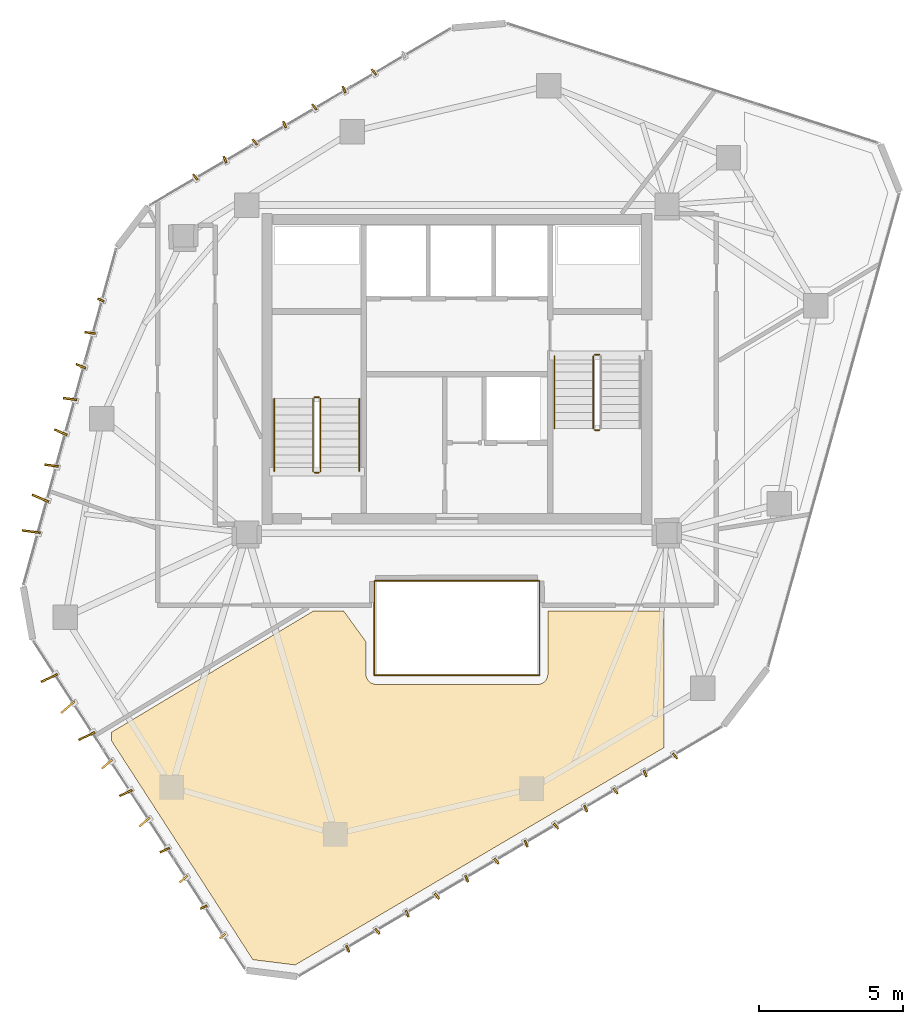
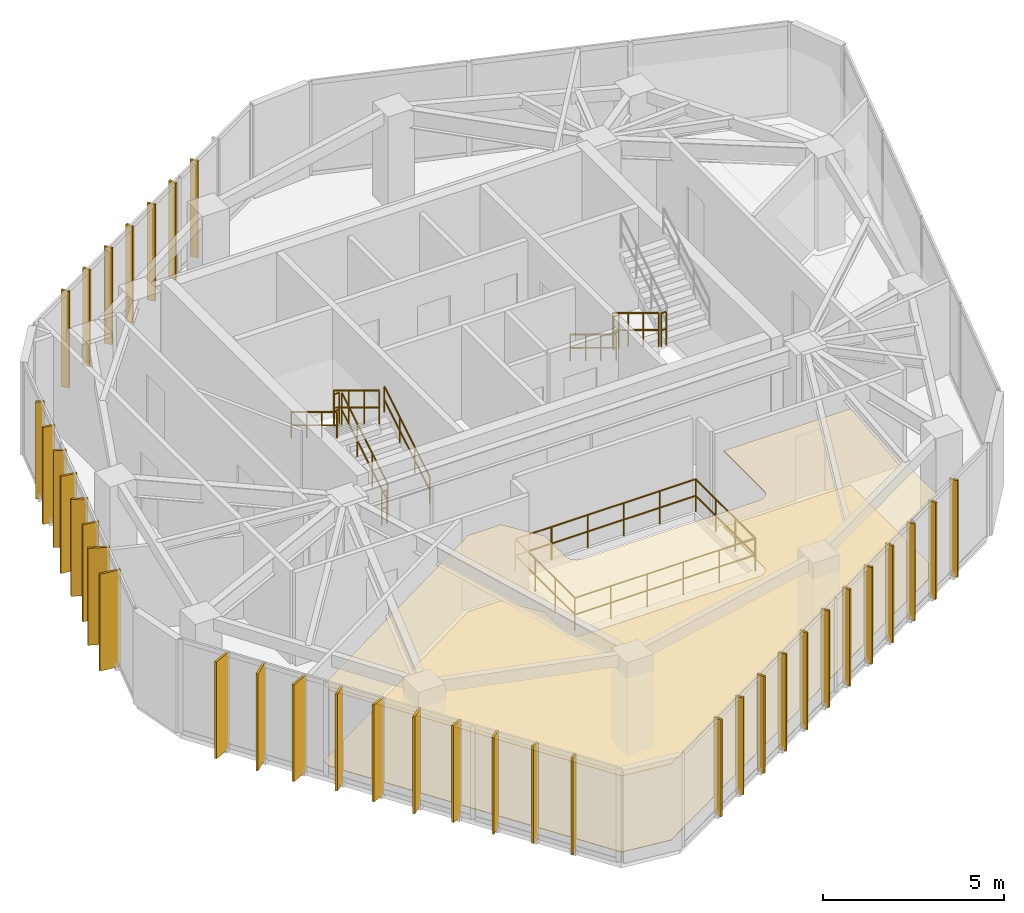
# One storey, part 19 of 20: 37 shading devices, 14 railings, 2 coverings.
"""IFC4 building model written with IfcOpenShell, lengths in metres."""

from ifc_helpers import new_model, si_unit, direction, frame, origin, origin_2d, place, context, subcontext, project, spatial, polyline, rectangle, circle, outline, extrude, source, transform, mapped, material, layer, layer_set, type_object, type_shapes, element, save


model = new_model("IFC4")

# Units and contexts
model_context = context("Model", 3, precision=1e-05, world=origin(), true_north=direction((0.0, 1.0)))
body_context = subcontext(model_context, "Body", "Model", "MODEL_VIEW")
ifc_project = project(units=[si_unit("LENGTHUNIT", "METRE"), si_unit("AREAUNIT", "SQUARE_METRE"), si_unit("VOLUMEUNIT", "CUBIC_METRE"), si_unit("PLANEANGLEUNIT", "RADIAN"), si_unit("MASSUNIT", "GRAM", prefix="KILO")], contexts=[model_context])

# Site, building, storey
site_placement = place(None, origin())
site = spatial("IfcSite", under=ifc_project, at=site_placement, CompositionType="ELEMENT")
building_placement = place(site_placement, origin())
building = spatial("IfcBuilding", under=site, at=building_placement, Name="Talar Marvaseh", CompositionType="ELEMENT")
storey_placement = place(building_placement, frame((0.0, 0.0, 254.39990234375)))
storey = spatial("IfcBuildingStorey", under=building, at=storey_placement, Name="L67", CompositionType="ELEMENT", Elevation=254.39990234375)

# Railings
ifc_material_1 = material(Name="Stainless Steel Grade 316", Category="steel")
railing_type_1 = type_object("IfcRailingType", Name="Brushed Stainless Wall Pitch Handrail 900", PredefinedType="HANDRAIL", material=ifc_material_1)
railing_1_placement = place(storey_placement, frame((22.610107421875, 27.64990234375, 0.170166015625)))
element("IfcRailing", 1, at=railing_1_placement, inside=storey, type_object=railing_type_1, Name="L67 ST-1 stair handrail 1", PredefinedType="HANDRAIL", context=body_context, shape_type="SweptSolid", body=[
    extrude(circle(Radius=0.02392578125, at=origin_2d()), frame((0.0, 0.0, 0.8759765625), z_axis=(0.0, 0.85478489116, 0.518982456201), x_axis=(-1.0, 0.0, 0.0)), (0.0, 0.0, 1.0), 2.9482421875),
    extrude(circle(Radius=0.02392578125, at=origin_2d()), frame((0.0, 0.0, 0.42578125), z_axis=(0.0, 0.85478489116, 0.518982456201), x_axis=(-1.0, 0.0, 0.0)), (0.0, 0.0, 1.0), 2.9482421875),
    extrude(circle(Radius=0.02099609375, at=origin_2d()), origin(), (0.0, 0.0, 1.0), 0.851806640625),
    extrude(circle(Radius=0.02099609375, at=origin_2d()), frame((0.0, 0.840087890625, 0.510009765625)), (0.0, 0.0, 1.0), 0.851806640625),
    extrude(circle(Radius=0.02099609375, at=origin_2d()), frame((0.0, 1.679931640625, 1.02001953125)), (0.0, 0.0, 1.0), 0.851806640625),
    extrude(circle(Radius=0.02099609375, at=origin_2d()), frame((0.0, 2.52001953125, 1.530029296875)), (0.0, 0.0, 1.0), 0.851806640625),
])
for number, where, name in (
    (2, (19.64990234375, 30.169921875, 1.8701171875), "L67 ST-1 stair handrail 2"),
    (3, (29.389892578125, 31.64990234375, 0.170166015625), "L67 ST-2 stair handrail 1"),
):
    element("IfcRailing", number, at=place(storey_placement, frame(where)), inside=storey, type_object=railing_type_1, Name=name, PredefinedType="HANDRAIL", context=body_context, shape_type="SweptSolid", body=[
        extrude(circle(Radius=0.02392578125, at=origin_2d()), frame((0.0, 0.0, 0.8759765625), z_axis=(0.0, -0.85478489116, 0.518982456201), x_axis=(1.0, 0.0, 0.0)), (0.0, 0.0, 1.0), 2.9482421875),
        extrude(circle(Radius=0.02392578125, at=origin_2d()), frame((0.0, 0.0, 0.42578125), z_axis=(0.0, -0.85478489116, 0.518982456201), x_axis=(1.0, 0.0, 0.0)), (0.0, 0.0, 1.0), 2.9482421875),
        extrude(circle(Radius=0.02099609375, at=origin_2d()), origin(), (0.0, 0.0, 1.0), 0.851806640625),
        extrude(circle(Radius=0.02099609375, at=origin_2d()), frame((0.0, -0.840087890625, 0.510009765625)), (0.0, 0.0, 1.0), 0.851806640625),
        extrude(circle(Radius=0.02099609375, at=origin_2d()), frame((0.0, -1.679931640625, 1.02001953125)), (0.0, 0.0, 1.0), 0.851806640625),
        extrude(circle(Radius=0.02099609375, at=origin_2d()), frame((0.0, -2.52001953125, 1.530029296875)), (0.0, 0.0, 1.0), 0.851806640625),
    ])
ifc_material_2 = material(Name="Tempered Clear Glass", Category="glass")
railing_type_2 = type_object("IfcRailingType", Name="Interior Atrium Edge Balustrade 1120", PredefinedType="BALUSTRADE", material=ifc_material_2)
railing_2_placement = place(storey_placement, frame((23.130615234375, 20.560302734375, 0.0)))
element("IfcRailing", 4, at=railing_2_placement, inside=storey, type_object=railing_type_2, Name="L67 Internal Daylight Atrium Balustrade 1", PredefinedType="BALUSTRADE", context=body_context, shape_type="SweptSolid", body=[
    extrude(circle(Radius=0.02392578125, at=origin_2d()), frame((0.0, 0.0, 1.09619140625), z_axis=(1.0, 0.0, 0.0), x_axis=(0.0, 1.0, 0.0)), (0.0, 0.0, 1.0), 5.73876953125),
    extrude(circle(Radius=0.02392578125, at=origin_2d()), frame((0.0, 0.0, 0.5361328125), z_axis=(1.0, 0.0, 0.0), x_axis=(0.0, 1.0, 0.0)), (0.0, 0.0, 1.0), 5.73876953125),
    extrude(circle(Radius=0.02099609375, at=origin_2d()), origin(), (0.0, 0.0, 1.0), 1.072021484375),
    extrude(circle(Radius=0.02099609375, at=origin_2d()), frame((1.147705078125, 0.0, 0.0)), (0.0, 0.0, 1.0), 1.072021484375),
    extrude(circle(Radius=0.02099609375, at=origin_2d()), frame((2.29541015625, 0.0, 0.0)), (0.0, 0.0, 1.0), 1.072021484375),
    extrude(circle(Radius=0.02099609375, at=origin_2d()), frame((3.443359375, 0.0, 0.0)), (0.0, 0.0, 1.0), 1.072021484375),
    extrude(circle(Radius=0.02099609375, at=origin_2d()), frame((4.591064453125, 0.0, 0.0)), (0.0, 0.0, 1.0), 1.072021484375),
    extrude(circle(Radius=0.02099609375, at=origin_2d()), frame((5.73876953125, 0.0, 0.0)), (0.0, 0.0, 1.0), 1.072021484375),
])
railing_3_placement = place(storey_placement, frame((28.869384765625, 20.560302734375, 0.0)))
element("IfcRailing", 5, at=railing_3_placement, inside=storey, type_object=railing_type_2, Name="L67 Internal Daylight Atrium Balustrade 2", PredefinedType="BALUSTRADE", context=body_context, shape_type="SweptSolid", body=[
    extrude(circle(Radius=0.02392578125, at=origin_2d()), frame((0.0, 0.0, 1.09619140625), z_axis=(0.0, 1.0, 0.0), x_axis=(-1.0, 0.0, 0.0)), (0.0, 0.0, 1.0), 3.279296875),
    extrude(circle(Radius=0.02392578125, at=origin_2d()), frame((0.0, 0.0, 0.5361328125), z_axis=(0.0, 1.0, 0.0), x_axis=(-1.0, 0.0, 0.0)), (0.0, 0.0, 1.0), 3.279296875),
    extrude(circle(Radius=0.02099609375, at=origin_2d()), origin(), (0.0, 0.0, 1.0), 1.072021484375),
    extrude(circle(Radius=0.02099609375, at=origin_2d()), frame((0.0, 1.093017578125, 0.0)), (0.0, 0.0, 1.0), 1.072021484375),
    extrude(circle(Radius=0.02099609375, at=origin_2d()), frame((0.0, 2.186279296875, 0.0)), (0.0, 0.0, 1.0), 1.072021484375),
    extrude(circle(Radius=0.02099609375, at=origin_2d()), frame((0.0, 3.279296875, 0.0)), (0.0, 0.0, 1.0), 1.072021484375),
])
railing_4_placement = place(storey_placement, frame((28.869384765625, 23.839599609375, 0.0)))
element("IfcRailing", 6, at=railing_4_placement, inside=storey, type_object=railing_type_2, Name="L67 Internal Daylight Atrium Balustrade 3", PredefinedType="BALUSTRADE", context=body_context, shape_type="SweptSolid", body=[
    extrude(circle(Radius=0.02392578125, at=origin_2d()), frame((0.0, 0.0, 1.09619140625), z_axis=(-1.0, 0.0, 0.0), x_axis=(0.0, -1.0, 0.0)), (0.0, 0.0, 1.0), 5.73876953125),
    extrude(circle(Radius=0.02392578125, at=origin_2d()), frame((0.0, 0.0, 0.5361328125), z_axis=(-1.0, 0.0, 0.0), x_axis=(0.0, -1.0, 0.0)), (0.0, 0.0, 1.0), 5.73876953125),
    extrude(circle(Radius=0.02099609375, at=origin_2d()), origin(), (0.0, 0.0, 1.0), 1.072021484375),
    extrude(circle(Radius=0.02099609375, at=origin_2d()), frame((-1.147705078125, 0.0, 0.0)), (0.0, 0.0, 1.0), 1.072021484375),
    extrude(circle(Radius=0.02099609375, at=origin_2d()), frame((-2.29541015625, 0.0, 0.0)), (0.0, 0.0, 1.0), 1.072021484375),
    extrude(circle(Radius=0.02099609375, at=origin_2d()), frame((-3.443359375, 0.0, 0.0)), (0.0, 0.0, 1.0), 1.072021484375),
    extrude(circle(Radius=0.02099609375, at=origin_2d()), frame((-4.591064453125, 0.0, 0.0)), (0.0, 0.0, 1.0), 1.072021484375),
    extrude(circle(Radius=0.02099609375, at=origin_2d()), frame((-5.73876953125, 0.0, 0.0)), (0.0, 0.0, 1.0), 1.072021484375),
])
railing_5_placement = place(storey_placement, frame((23.130615234375, 23.839599609375, 0.0)))
element("IfcRailing", 7, at=railing_5_placement, inside=storey, type_object=railing_type_2, Name="L67 Internal Daylight Atrium Balustrade 4", PredefinedType="BALUSTRADE", context=body_context, shape_type="SweptSolid", body=[
    extrude(circle(Radius=0.02392578125, at=origin_2d()), frame((0.0, 0.0, 1.09619140625), z_axis=(0.0, -1.0, 0.0), x_axis=(1.0, 0.0, 0.0)), (0.0, 0.0, 1.0), 3.279296875),
    extrude(circle(Radius=0.02392578125, at=origin_2d()), frame((0.0, 0.0, 0.5361328125), z_axis=(0.0, -1.0, 0.0), x_axis=(1.0, 0.0, 0.0)), (0.0, 0.0, 1.0), 3.279296875),
    extrude(circle(Radius=0.02099609375, at=origin_2d()), origin(), (0.0, 0.0, 1.0), 1.072021484375),
    extrude(circle(Radius=0.02099609375, at=origin_2d()), frame((0.0, -1.093017578125, 0.0)), (0.0, 0.0, 1.0), 1.072021484375),
    extrude(circle(Radius=0.02099609375, at=origin_2d()), frame((0.0, -2.186279296875, 0.0)), (0.0, 0.0, 1.0), 1.072021484375),
    extrude(circle(Radius=0.02099609375, at=origin_2d()), frame((0.0, -3.279296875, 0.0)), (0.0, 0.0, 1.0), 1.072021484375),
])
railing_type_3 = type_object("IfcRailingType", Name="Painted Steel Core Stair Well Guardrail 1150", PredefinedType="GUARDRAIL", material=ifc_material_1)
railing_6_placement = place(storey_placement, frame((21.260009765625, 27.64990234375, 0.170166015625)))
element("IfcRailing", 8, at=railing_6_placement, inside=storey, type_object=railing_type_3, Name="L67 ST-1 stair guard 1", PredefinedType="GUARDRAIL", context=body_context, shape_type="SweptSolid", body=[
    extrude(circle(Radius=0.02392578125, at=origin_2d()), frame((0.0, 0.0, 1.1259765625), z_axis=(0.0, 0.85478489116, 0.518982456201), x_axis=(-1.0, 0.0, 0.0)), (0.0, 0.0, 1.0), 2.9482421875),
    extrude(circle(Radius=0.02392578125, at=origin_2d()), frame((0.0, 0.0, 0.55078125), z_axis=(0.0, 0.85478489116, 0.518982456201), x_axis=(-1.0, 0.0, 0.0)), (0.0, 0.0, 1.0), 2.9482421875),
    extrude(circle(Radius=0.02099609375, at=origin_2d()), origin(), (0.0, 0.0, 1.0), 1.101806640625),
    extrude(circle(Radius=0.02099609375, at=origin_2d()), frame((0.0, 0.840087890625, 0.510009765625)), (0.0, 0.0, 1.0), 1.101806640625),
    extrude(circle(Radius=0.02099609375, at=origin_2d()), frame((0.0, 1.679931640625, 1.02001953125)), (0.0, 0.0, 1.0), 1.101806640625),
    extrude(circle(Radius=0.02099609375, at=origin_2d()), frame((0.0, 2.52001953125, 1.530029296875)), (0.0, 0.0, 1.0), 1.101806640625),
])
railing_7_placement = place(storey_placement, frame((21.2099609375, 30.219970703125, 1.7001953125)))
element("IfcRailing", 9, at=railing_7_placement, inside=storey, type_object=railing_type_3, Name="L67 ST-1 stair guard 2", PredefinedType="GUARDRAIL", context=body_context, shape_type="SweptSolid", body=[
    extrude(circle(Radius=0.02392578125, at=origin_2d()), frame((0.0, 0.0, 1.1259765625), z_axis=(-1.0, 0.0, 0.0), x_axis=(0.0, -1.0, 0.0)), (0.0, 0.0, 1.0), 0.159912109375),
    extrude(circle(Radius=0.02392578125, at=origin_2d()), frame((0.0, 0.0, 0.55078125), z_axis=(-1.0, 0.0, 0.0), x_axis=(0.0, -1.0, 0.0)), (0.0, 0.0, 1.0), 0.159912109375),
    extrude(circle(Radius=0.02099609375, at=origin_2d()), origin(), (0.0, 0.0, 1.0), 1.101806640625),
    extrude(circle(Radius=0.02099609375, at=origin_2d()), frame((-0.159912109375, 0.0, 0.0)), (0.0, 0.0, 1.0), 1.101806640625),
])
railing_8_placement = place(storey_placement, frame((21.0, 30.169921875, 1.8701171875)))
element("IfcRailing", 10, at=railing_8_placement, inside=storey, type_object=railing_type_3, Name="L67 ST-1 stair guard 3", PredefinedType="GUARDRAIL", context=body_context, shape_type="SweptSolid", body=[
    extrude(circle(Radius=0.02392578125, at=origin_2d()), frame((0.0, 0.0, 1.1259765625), z_axis=(0.0, -0.85478489116, 0.518982456201), x_axis=(1.0, 0.0, 0.0)), (0.0, 0.0, 1.0), 2.9482421875),
    extrude(circle(Radius=0.02392578125, at=origin_2d()), frame((0.0, 0.0, 0.55078125), z_axis=(0.0, -0.85478489116, 0.518982456201), x_axis=(1.0, 0.0, 0.0)), (0.0, 0.0, 1.0), 2.9482421875),
    extrude(circle(Radius=0.02099609375, at=origin_2d()), origin(), (0.0, 0.0, 1.0), 1.101806640625),
    extrude(circle(Radius=0.02099609375, at=origin_2d()), frame((0.0, -0.840087890625, 0.510009765625)), (0.0, 0.0, 1.0), 1.101806640625),
    extrude(circle(Radius=0.02099609375, at=origin_2d()), frame((0.0, -1.679931640625, 1.02001953125)), (0.0, 0.0, 1.0), 1.101806640625),
    extrude(circle(Radius=0.02099609375, at=origin_2d()), frame((0.0, -2.52001953125, 1.530029296875)), (0.0, 0.0, 1.0), 1.101806640625),
])
railing_9_placement = place(storey_placement, frame((21.2099609375, 27.60009765625, 0.0)))
element("IfcRailing", 11, at=railing_9_placement, inside=storey, type_object=railing_type_3, Name="L67 ST-1 stair guard 4", PredefinedType="GUARDRAIL", context=body_context, shape_type="SweptSolid", body=[
    extrude(circle(Radius=0.02392578125, at=origin_2d()), frame((0.0, 0.0, 1.1259765625), z_axis=(-1.0, 0.0, 0.0), x_axis=(0.0, -1.0, 0.0)), (0.0, 0.0, 1.0), 0.159912109375),
    extrude(circle(Radius=0.02392578125, at=origin_2d()), frame((0.0, 0.0, 0.55078125), z_axis=(-1.0, 0.0, 0.0), x_axis=(0.0, -1.0, 0.0)), (0.0, 0.0, 1.0), 0.159912109375),
    extrude(circle(Radius=0.02099609375, at=origin_2d()), origin(), (0.0, 0.0, 1.0), 1.101806640625),
    extrude(circle(Radius=0.02099609375, at=origin_2d()), frame((-0.159912109375, 0.0, 0.0)), (0.0, 0.0, 1.0), 1.101806640625),
])
railing_10_placement = place(storey_placement, frame((30.739990234375, 31.64990234375, 0.170166015625)))
element("IfcRailing", 12, at=railing_10_placement, inside=storey, type_object=railing_type_3, Name="L67 ST-2 stair guard 1", PredefinedType="GUARDRAIL", context=body_context, shape_type="SweptSolid", body=[
    extrude(circle(Radius=0.02392578125, at=origin_2d()), frame((0.0, 0.0, 1.1259765625), z_axis=(0.0, -0.85478489116, 0.518982456201), x_axis=(1.0, 0.0, 0.0)), (0.0, 0.0, 1.0), 2.9482421875),
    extrude(circle(Radius=0.02392578125, at=origin_2d()), frame((0.0, 0.0, 0.55078125), z_axis=(0.0, -0.85478489116, 0.518982456201), x_axis=(1.0, 0.0, 0.0)), (0.0, 0.0, 1.0), 2.9482421875),
    extrude(circle(Radius=0.02099609375, at=origin_2d()), origin(), (0.0, 0.0, 1.0), 1.101806640625),
    extrude(circle(Radius=0.02099609375, at=origin_2d()), frame((0.0, -0.840087890625, 0.510009765625)), (0.0, 0.0, 1.0), 1.101806640625),
    extrude(circle(Radius=0.02099609375, at=origin_2d()), frame((0.0, -1.679931640625, 1.02001953125)), (0.0, 0.0, 1.0), 1.101806640625),
    extrude(circle(Radius=0.02099609375, at=origin_2d()), frame((0.0, -2.52001953125, 1.530029296875)), (0.0, 0.0, 1.0), 1.101806640625),
])
for number, where, name in (
    (13, (30.7900390625, 29.080078125, 1.7001953125), "L67 ST-2 stair guard 2"),
    (14, (30.7900390625, 31.699951171875, 0.0), "L67 ST-2 stair guard 4"),
):
    element("IfcRailing", number, at=place(storey_placement, frame(where)), inside=storey, type_object=railing_type_3, Name=name, PredefinedType="GUARDRAIL", context=body_context, shape_type="SweptSolid", body=[
        extrude(circle(Radius=0.02392578125, at=origin_2d()), frame((0.0, 0.0, 1.1259765625), z_axis=(1.0, 0.0, 0.0), x_axis=(0.0, 1.0, 0.0)), (0.0, 0.0, 1.0), 0.159912109375),
        extrude(circle(Radius=0.02392578125, at=origin_2d()), frame((0.0, 0.0, 0.55078125), z_axis=(1.0, 0.0, 0.0), x_axis=(0.0, 1.0, 0.0)), (0.0, 0.0, 1.0), 0.159912109375),
        extrude(circle(Radius=0.02099609375, at=origin_2d()), origin(), (0.0, 0.0, 1.0), 1.101806640625),
        extrude(circle(Radius=0.02099609375, at=origin_2d()), frame((0.159912109375, 0.0, 0.0)), (0.0, 0.0, 1.0), 1.101806640625),
    ])

# Coverings
ifc_material_3 = material(Name="Mineral Fibre Acoustic Ceiling")
ifc_layer_1 = layer(ifc_material_3, 0.02490234375)
ifc_layer_set_1 = layer_set([ifc_layer_1], Name="Mineral Fibre Acoustic Ceiling")
covering_type_1 = type_object("IfcCoveringType", Name="Perforated Mineral Fibre Acoustic Suspended Ceiling", PredefinedType="CEILING", material=ifc_layer_set_1)
covering_1_placement = place(storey_placement, frame((0.0, 0.0, 2.56005859375)))
element("IfcCovering", 15, at=covering_1_placement, inside=storey, type_object=covering_type_1, Name="L67 Rare Books Archive Room Acoustic Ceiling", PredefinedType="CEILING", context=body_context, shape_type="SweptSolid", body=[
    extrude(outline(polyline([(22.840087890625, 21.721435546875), (22.840087890625, 20.60009765625), (22.840576171875, 20.585205078125), (22.84228515625, 20.570556640625), (22.84912109375, 20.524169921875), (22.852783203125, 20.5048828125), (22.858642578125, 20.486083984375), (22.8662109375, 20.468017578125), (22.88623046875, 20.425537109375), (22.8955078125, 20.408203125), (22.906494140625, 20.39208984375), (22.918701171875, 20.376708984375), (22.9326171875, 20.36279296875), (22.990234375, 20.310791015625), (23.00390625, 20.29931640625), (23.018310546875, 20.289306640625), (23.03369140625, 20.28076171875), (23.0498046875, 20.2734375), (23.066650390625, 20.267578125), (23.126220703125, 20.24951171875), (23.145263671875, 20.24462890625), (23.164794921875, 20.24169921875), (23.184326171875, 20.24072265625), (28.815673828125, 20.24072265625), (28.83203125, 20.241455078125), (28.848388671875, 20.243408203125), (28.8642578125, 20.246826171875), (28.909912109375, 20.25830078125), (28.92626953125, 20.26318359375), (28.9423828125, 20.269287109375), (28.957763671875, 20.277099609375), (28.972412109375, 20.285888671875), (29.0244140625, 20.320556640625), (29.04248046875, 20.33447265625), (29.05908203125, 20.35009765625), (29.07373046875, 20.36767578125), (29.101806640625, 20.405517578125), (29.112548828125, 20.421630859375), (29.121826171875, 20.439208984375), (29.12939453125, 20.457275390625), (29.145263671875, 20.50146484375), (29.151611328125, 20.523193359375), (29.155517578125, 20.5458984375), (29.156982421875, 20.568603515625), (29.15966796875, 22.800048828125), (33.199951171875, 22.800048828125), (33.199951171875, 18.046630859375), (20.3798828125, 10.492431640625), (18.907958984375, 10.67529296875), (14.0, 18.277099609375), (14.0, 18.580078125), (21.0234375, 22.800048828125), (22.0595703125, 22.800048828125), (22.840087890625, 21.721435546875)])), origin(), (0.0, 0.0, 1.0), 0.025146484375),
])
ifc_material_4 = material(Name="Porcelain Stoneware Tile", Category="masonry")
ifc_layer_2 = layer(ifc_material_4, 0.02001953125)
ifc_layer_set_2 = layer_set([ifc_layer_2], Name="Porcelain Stoneware Tile")
covering_type_2 = type_object("IfcCoveringType", Name="Polished Porcelain Stoneware Gallery Flooring", PredefinedType="FLOORING", material=ifc_layer_set_2)
covering_2_placement = place(storey_placement, origin())
element("IfcCovering", 16, at=covering_2_placement, inside=storey, type_object=covering_type_2, Name="L67 Rare Books Archive Room Flooring", PredefinedType="FLOORING", context=body_context, shape_type="SweptSolid", body=[
    extrude(outline(polyline([(22.840087890625, 21.721435546875), (22.840087890625, 20.60009765625), (22.840576171875, 20.585205078125), (22.84228515625, 20.570556640625), (22.84912109375, 20.524169921875), (22.852783203125, 20.5048828125), (22.858642578125, 20.486083984375), (22.8662109375, 20.468017578125), (22.88623046875, 20.425537109375), (22.8955078125, 20.408203125), (22.906494140625, 20.39208984375), (22.918701171875, 20.376708984375), (22.9326171875, 20.36279296875), (22.990234375, 20.310791015625), (23.00390625, 20.29931640625), (23.018310546875, 20.289306640625), (23.03369140625, 20.28076171875), (23.0498046875, 20.2734375), (23.066650390625, 20.267578125), (23.126220703125, 20.24951171875), (23.145263671875, 20.24462890625), (23.164794921875, 20.24169921875), (23.184326171875, 20.24072265625), (28.815673828125, 20.24072265625), (28.83203125, 20.241455078125), (28.848388671875, 20.243408203125), (28.8642578125, 20.246826171875), (28.909912109375, 20.25830078125), (28.92626953125, 20.26318359375), (28.9423828125, 20.269287109375), (28.957763671875, 20.277099609375), (28.972412109375, 20.285888671875), (29.0244140625, 20.320556640625), (29.04248046875, 20.33447265625), (29.05908203125, 20.35009765625), (29.07373046875, 20.36767578125), (29.101806640625, 20.405517578125), (29.112548828125, 20.421630859375), (29.121826171875, 20.439208984375), (29.12939453125, 20.457275390625), (29.145263671875, 20.50146484375), (29.151611328125, 20.523193359375), (29.155517578125, 20.5458984375), (29.156982421875, 20.568603515625), (29.15966796875, 22.800048828125), (33.199951171875, 22.800048828125), (33.199951171875, 18.046630859375), (20.3798828125, 10.492431640625), (18.907958984375, 10.67529296875), (14.0, 18.277099609375), (14.0, 18.580078125), (21.0234375, 22.800048828125), (22.0595703125, 22.800048828125), (22.840087890625, 21.721435546875)])), origin(), (0.0, 0.0, 1.0), 0.02001953125),
])

# Shading devices
ifc_material_5 = material(Name="Anodised Champagne Bronze Aluminium", Category="aluminium")
ifc_layer_3 = layer(ifc_material_5, 0.06494140625)
ifc_layer_set_3 = layer_set([ifc_layer_3], Name="Anodised Champagne Bronze Aluminium")
shading_device_type_1 = type_object("IfcShadingDeviceType", Name="Sawtooth Champagne Bronze Vertical Fin 240", PredefinedType="USERDEFINED", material=ifc_layer_set_3)
shared_shape_1 = source(origin(), body_context, "Body", "SweptSolid", [
    extrude(rectangle(XDim=0.239990234375, YDim=0.06494140625, at=origin_2d()), origin(), (0.0, 0.0, 1.0), 3.260009765625),
])
type_shapes(shading_device_type_1, [shared_shape_1])
for number, where, z_axis, x_axis, name in (
    (17, (17.851318359375, 11.4912109375, -0.1201171875), (0.0, 0.0, 1.0), (-0.756424550435, -0.654080957909, 0.0), "L67 Sawtooth Vertical Solar Fin"),
    (18, (17.20068359375, 12.499267578125, -0.1201171875), (0.0, 0.0, 1.0), (-0.907411091929, -0.420244107924, 0.0), "L67 Sawtooth Vertical Solar Fin"),
    (19, (13.626953125, 33.599365234375, -0.1201171875), (0.0, 0.0, 1.0), (-0.91754655374, 0.397628371371, 0.0), "L67 Sawtooth Vertical Solar Fin"),
    (20, (16.90625, 37.872802734375, -0.1201171875), (0.0, 0.0, 1.0), (-0.621558036049, 0.783368117696, 0.0), "L67 Sawtooth Vertical Solar Fin"),
    (21, (17.94091796875, 38.48046875, -0.1201171875), (0.0, 0.0, 1.0), (-0.381554415263, 0.924346378904, 0.0), "L67 Sawtooth Vertical Solar Fin"),
    (22, (18.9755859375, 39.08837890625, -0.1201171875), (0.0, 0.0, 1.0), (-0.621558036049, 0.783368117696, 0.0), "L67 Sawtooth Vertical Solar Fin"),
    (23, (20.01025390625, 39.6962890625, -0.1201171875), (0.0, 0.0, 1.0), (-0.381554415263, 0.924346378904, 0.0), "L67 Sawtooth Vertical Solar Fin"),
    (24, (21.044921875, 40.303955078125, -0.1201171875), (0.0, 0.0, 1.0), (-0.621558036049, 0.783368117696, 0.0), "L67 Sawtooth Vertical Solar Fin"),
    (25, (22.07958984375, 40.911865234375, -0.1201171875), (0.0, 0.0, 1.0), (-0.381554415263, 0.924346378904, 0.0), "L67 Sawtooth Vertical Solar Fin"),
    (26, (23.1142578125, 41.51953125, -0.1201171875), (0.0, 0.0, 1.0), (-0.621558036049, 0.783368117696, 0.0), "L67 Sawtooth Vertical Solar Fin"),
    (27, (33.578125, 17.7529296875, -0.1201171875), (0.0, 0.0, 1.0), (0.622651218046, -0.782499495633, 0.0), "L67 Sawtooth Vertical Solar Fin"),
    (28, (32.544189453125, 17.143798828125, -0.1201171875), (0.0, 0.0, 1.0), (0.382844673933, -0.923812727581, 0.0), "L67 Sawtooth Vertical Solar Fin"),
    (29, (31.510498046875, 16.53466796875, -0.1201171875), (0.0, 0.0, 1.0), (0.622651218046, -0.782499495633, 0.0), "L67 Sawtooth Vertical Solar Fin"),
    (30, (30.4765625, 15.92529296875, -0.1201171875), (0.0, 0.0, 1.0), (0.382844673933, -0.923812727581, 0.0), "L67 Sawtooth Vertical Solar Fin"),
    (31, (29.442626953125, 15.316162109375, -0.1201171875), (0.0, 0.0, 1.0), (0.622651218046, -0.782499495633, 0.0), "L67 Sawtooth Vertical Solar Fin"),
    (32, (28.40869140625, 14.70703125, -0.1201171875), (0.0, 0.0, 1.0), (0.382844673933, -0.923812727581, 0.0), "L67 Sawtooth Vertical Solar Fin"),
    (33, (27.375, 14.097900390625, -0.1201171875), (0.0, 0.0, 1.0), (0.622651218046, -0.782499495633, 0.0), "L67 Sawtooth Vertical Solar Fin"),
    (34, (26.341064453125, 13.488525390625, -0.1201171875), (0.0, 0.0, 1.0), (0.382844673933, -0.923812727581, 0.0), "L67 Sawtooth Vertical Solar Fin"),
    (35, (25.307373046875, 12.87939453125, -0.1201171875), (0.0, 0.0, 1.0), (0.622651218046, -0.782499495633, 0.0), "L67 Sawtooth Vertical Solar Fin"),
    (36, (24.2734375, 12.270263671875, -0.1201171875), (0.0, 0.0, 1.0), (0.382844673933, -0.923812727581, 0.0), "L67 Sawtooth Vertical Solar Fin"),
    (37, (23.239501953125, 11.660888671875, -0.1201171875), (0.0, 0.0, 1.0), (0.622651218046, -0.782499495633, 0.0), "L67 Sawtooth Vertical Solar Fin"),
    (38, (22.205810546875, 11.0517578125, -0.1201171875), (0.0, 0.0, 1.0), (0.382844673933, -0.923812727581, 0.0), "L67 Sawtooth Vertical Solar Fin"),
):
    element("IfcShadingDevice", number, at=place(storey_placement, frame(where, z_axis=z_axis, x_axis=x_axis)), inside=storey, type_object=shading_device_type_1, Name=name, ObjectType="FIN", PredefinedType="USERDEFINED", context=body_context, shape_type="MappedRepresentation", body=[
        mapped(shared_shape_1, transform((0.0, 0.0, 0.0), x_axis=(1.0, 0.0, 0.0), y_axis=(0.0, 1.0, 0.0), z_axis=(0.0, 0.0, 1.0), scale=1.0)),
    ])
ifc_layer_4 = layer(ifc_material_5, 0.06494140625)
ifc_layer_set_4 = layer_set([ifc_layer_4], Name="Anodised Champagne Bronze Aluminium")
shading_device_type_2 = type_object("IfcShadingDeviceType", Name="Sawtooth Champagne Bronze Vertical Fin 360", PredefinedType="USERDEFINED", material=ifc_layer_set_4)
shared_shape_2 = source(origin(), body_context, "Body", "SweptSolid", [
    extrude(rectangle(XDim=0.360107421875, YDim=0.06494140625, at=origin_2d()), origin(), (0.0, 0.0, 1.0), 3.260009765625),
])
type_shapes(shading_device_type_2, [shared_shape_2])
for number, where, z_axis, x_axis, name in (
    (39, (16.499267578125, 13.474853515625, -0.1201171875), (0.0, 0.0, 1.0), (-0.756424550435, -0.654080957909, 0.0), "L67 Sawtooth Vertical Solar Fin"),
    (40, (15.848388671875, 14.48291015625, -0.1201171875), (0.0, 0.0, 1.0), (-0.907411091929, -0.420244107924, 0.0), "L67 Sawtooth Vertical Solar Fin"),
    (41, (12.9306640625, 31.3017578125, -0.1201171875), (0.0, 0.0, 1.0), (-0.91754655374, 0.397628371371, 0.0), "L67 Sawtooth Vertical Solar Fin"),
    (42, (13.25, 32.45849609375, -0.1201171875), (0.0, 0.0, 1.0), (-0.991603589233, 0.129314816705, 0.0), "L67 Sawtooth Vertical Solar Fin"),
):
    element("IfcShadingDevice", number, at=place(storey_placement, frame(where, z_axis=z_axis, x_axis=x_axis)), inside=storey, type_object=shading_device_type_2, Name=name, ObjectType="FIN", PredefinedType="USERDEFINED", context=body_context, shape_type="MappedRepresentation", body=[
        mapped(shared_shape_2, transform((0.0, 0.0, 0.0), x_axis=(1.0, 0.0, 0.0), y_axis=(0.0, 1.0, 0.0), z_axis=(0.0, 0.0, 1.0), scale=1.0)),
    ])
ifc_layer_5 = layer(ifc_material_5, 0.06494140625)
ifc_layer_set_5 = layer_set([ifc_layer_5], Name="Anodised Champagne Bronze Aluminium")
shading_device_type_3 = type_object("IfcShadingDeviceType", Name="Sawtooth Champagne Bronze Vertical Fin 480", PredefinedType="USERDEFINED", material=ifc_layer_set_5)
shared_shape_3 = source(origin(), body_context, "Body", "SweptSolid", [
    extrude(rectangle(XDim=0.47998046875, YDim=0.06494140625, at=origin_2d()), origin(), (0.0, 0.0, 1.0), 3.260009765625),
])
type_shapes(shading_device_type_3, [shared_shape_3])
for number, where, z_axis, x_axis, name in (
    (43, (15.147216796875, 15.45849609375, -0.1201171875), (0.0, 0.0, 1.0), (-0.756424550435, -0.654080957909, 0.0), "L67 Sawtooth Vertical Solar Fin"),
    (44, (14.496337890625, 16.466796875, -0.1201171875), (0.0, 0.0, 1.0), (-0.907411091929, -0.420244107924, 0.0), "L67 Sawtooth Vertical Solar Fin"),
    (45, (13.845458984375, 17.474853515625, -0.1201171875), (0.0, 0.0, 1.0), (-0.756424550435, -0.654080957909, 0.0), "L67 Sawtooth Vertical Solar Fin"),
    (46, (11.914794921875, 27.847412109375, -0.1201171875), (0.0, 0.0, 1.0), (-0.991603589233, 0.129314816705, 0.0), "L67 Sawtooth Vertical Solar Fin"),
    (47, (12.234130859375, 29.00439453125, -0.1201171875), (0.0, 0.0, 1.0), (-0.91754655374, 0.397628371371, 0.0), "L67 Sawtooth Vertical Solar Fin"),
    (48, (12.553466796875, 30.160888671875, -0.1201171875), (0.0, 0.0, 1.0), (-0.991603589233, 0.129314816705, 0.0), "L67 Sawtooth Vertical Solar Fin"),
):
    element("IfcShadingDevice", number, at=place(storey_placement, frame(where, z_axis=z_axis, x_axis=x_axis)), inside=storey, type_object=shading_device_type_3, Name=name, ObjectType="FIN", PredefinedType="USERDEFINED", context=body_context, shape_type="MappedRepresentation", body=[
        mapped(shared_shape_3, transform((0.0, 0.0, 0.0), x_axis=(1.0, 0.0, 0.0), y_axis=(0.0, 1.0, 0.0), z_axis=(0.0, 0.0, 1.0), scale=1.0)),
    ])
ifc_layer_6 = layer(ifc_material_5, 0.06494140625)
ifc_layer_set_6 = layer_set([ifc_layer_6], Name="Anodised Champagne Bronze Aluminium")
shading_device_type_4 = type_object("IfcShadingDeviceType", Name="Sawtooth Champagne Bronze Vertical Fin 620", PredefinedType="USERDEFINED", material=ifc_layer_set_6)
shared_shape_4 = source(origin(), body_context, "Body", "SweptSolid", [
    extrude(rectangle(XDim=0.6201171875, YDim=0.06494140625, at=origin_2d()), origin(), (0.0, 0.0, 1.0), 3.260009765625),
])
type_shapes(shading_device_type_4, [shared_shape_4])
for number, where, z_axis, x_axis, name in (
    (49, (13.1357421875, 18.445068359375, -0.1201171875), (0.0, 0.0, 1.0), (-0.907411091929, -0.420244107924, 0.0), "L67 Sawtooth Vertical Solar Fin"),
    (50, (12.48486328125, 19.453369140625, -0.1201171875), (0.0, 0.0, 1.0), (-0.756424550435, -0.654080957909, 0.0), "L67 Sawtooth Vertical Solar Fin"),
    (51, (11.833984375, 20.46142578125, -0.1201171875), (0.0, 0.0, 1.0), (-0.907411091929, -0.420244107924, 0.0), "L67 Sawtooth Vertical Solar Fin"),
    (52, (11.208740234375, 25.552734375, -0.1201171875), (0.0, 0.0, 1.0), (-0.991603589233, 0.129314816705, 0.0), "L67 Sawtooth Vertical Solar Fin"),
    (53, (11.528076171875, 26.70947265625, -0.1201171875), (0.0, 0.0, 1.0), (-0.91754655374, 0.397628371371, 0.0), "L67 Sawtooth Vertical Solar Fin"),
):
    element("IfcShadingDevice", number, at=place(storey_placement, frame(where, z_axis=z_axis, x_axis=x_axis)), inside=storey, type_object=shading_device_type_4, Name=name, ObjectType="FIN", PredefinedType="USERDEFINED", context=body_context, shape_type="MappedRepresentation", body=[
        mapped(shared_shape_4, transform((0.0, 0.0, 0.0), x_axis=(1.0, 0.0, 0.0), y_axis=(0.0, 1.0, 0.0), z_axis=(0.0, 0.0, 1.0), scale=1.0)),
    ])

save(model, "model.ifc")
